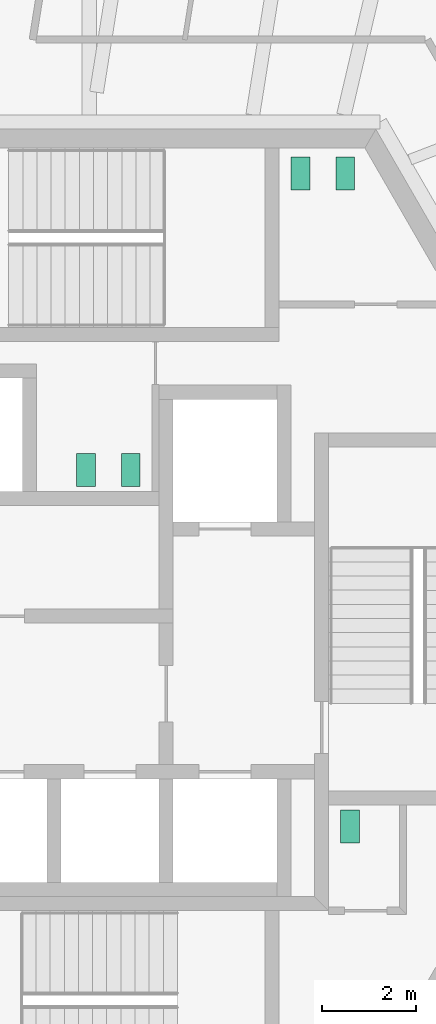
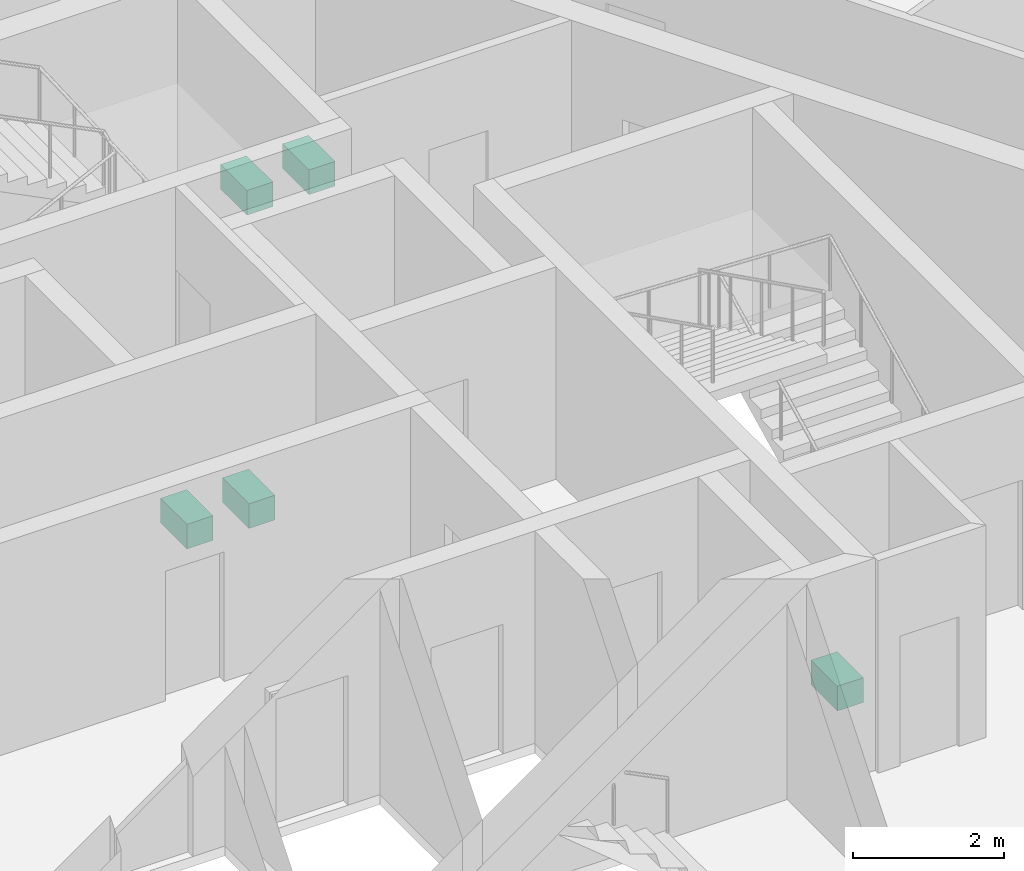
# One storey, part 19 of 21: 5 sanitary terminals.
"""IFC4 building model written with IfcOpenShell, lengths in metres."""

import ifcopenshell
import ifcopenshell.guid

model = None  # the IFC model being written
_history = None  # IfcOwnerHistory: only IFC2X3 demands one
_inside = {}  # id of a spatial element -> (the spatial element, [elements in it])
_under = {}  # id of a project, library or spatial element -> (it, [spatial elements below it])
_declared = {}  # id of a project -> (the project, [libraries it declares])
_typed = {}  # id of a type object -> (the type object, [elements of that type])
_made_of = {}  # id of a material, layer set ... -> (it, [elements and type objects made of it])


def new_model(schema):
    """Start an empty IFC model of exactly this schema.

    Asked for "IFC4X3", IfcOpenShell would pick the latest addendum, in which some entities
    have other attributes; the version numbers below select the first issue.
    IFC2X3 requires an IfcOwnerHistory on every rooted entity: one is made here for all.
    """
    global model, _history
    if schema == "IFC4X3":
        model = ifcopenshell.file(schema_version=(4, 3, 0, 0))
    else:
        model = ifcopenshell.file(schema=schema)
    _inside.clear()
    _under.clear()
    _declared.clear()
    _typed.clear()
    _made_of.clear()
    _history = None
    if model.schema == "IFC2X3":
        org = make("IfcOrganization", Name="unknown")
        user = make(
            "IfcPersonAndOrganization",
            ThePerson=make("IfcPerson", FamilyName="unknown"),
            TheOrganization=org,
        )
        app = make(
            "IfcApplication",
            ApplicationDeveloper=org,
            Version="unknown",
            ApplicationFullName="unknown",
            ApplicationIdentifier="unknown",
        )
        _history = make(
            "IfcOwnerHistory",
            OwningUser=user,
            OwningApplication=app,
            ChangeAction="ADDED",
            CreationDate=0,
        )
    return model


def make(cls, **values):
    """One entity of the class cls with the attributes given. An attribute that is None is left unset."""
    return model.create_entity(
        cls, **{name: value for name, value in values.items() if value is not None}
    )


def rooted(cls, **values):
    """An entity with a GlobalId (a new one), such as an element, a storey or a relation."""
    return make(cls, GlobalId=ifcopenshell.guid.new(), OwnerHistory=_history, **values)


def si_unit(unit_type, name, prefix=None):
    """IfcSIUnit, for example si_unit("LENGTHUNIT", "METRE", prefix="MILLI")."""
    return make("IfcSIUnit", UnitType=unit_type, Prefix=prefix, Name=name)


def assignment(units):
    """IfcUnitAssignment: the units of a project."""
    return None if units is None else make("IfcUnitAssignment", Units=units)


def point(xyz):
    """IfcCartesianPoint."""
    return None if xyz is None else make("IfcCartesianPoint", Coordinates=xyz)


def direction(xyz):
    """IfcDirection."""
    return None if xyz is None else make("IfcDirection", DirectionRatios=xyz)


def frame(location, z_axis=None, x_axis=None):
    """IfcAxis2Placement3D, a coordinate frame: its origin and axes. An axis left out is left unset."""
    return make(
        "IfcAxis2Placement3D",
        Location=point(location),
        Axis=direction(z_axis),
        RefDirection=direction(x_axis),
    )


def frame_2d(location, x_axis=None):
    """IfcAxis2Placement2D, a coordinate frame in the plane: its origin and x axis."""
    return make(
        "IfcAxis2Placement2D", Location=point(location), RefDirection=direction(x_axis)
    )


def origin():
    """The frame at (0, 0, 0) with its axes left unset."""
    return frame((0.0, 0.0, 0.0))


def origin_2d():
    """The frame at (0, 0) in the plane with its x axis left unset."""
    return frame_2d((0.0, 0.0))


def place(relative_to, where):
    """IfcLocalPlacement: puts the frame where relative to a parent placement (None: the world)."""
    return make(
        "IfcLocalPlacement", PlacementRelTo=relative_to, RelativePlacement=where
    )


def context(
    kind, dimensions, precision=None, world=None, true_north=None, identifier=None
):
    """IfcGeometricRepresentationContext, for example the 3D "Model" context."""
    return make(
        "IfcGeometricRepresentationContext",
        ContextIdentifier=identifier,
        ContextType=kind,
        CoordinateSpaceDimension=dimensions,
        Precision=precision,
        WorldCoordinateSystem=world,
        TrueNorth=true_north,
    )


def subcontext(parent, identifier, kind, view, scale=None):
    """IfcGeometricRepresentationSubContext, for example "Body" below "Model"."""
    return make(
        "IfcGeometricRepresentationSubContext",
        ContextIdentifier=identifier,
        ContextType=kind,
        ParentContext=parent,
        TargetScale=scale,
        TargetView=view,
    )


def project(units=None, contexts=None):
    """IfcProject with its units and contexts."""
    return rooted(
        "IfcProject",
        Name="project",
        RepresentationContexts=contexts,
        UnitsInContext=assignment(units),
    )


def spatial(cls, under=None, at=None, **own):
    """A site, building, storey or space (cls), placed at a placement, below another one or the project."""
    s = rooted(cls, ObjectPlacement=at, **own)
    if under is not None:
        _under.setdefault(under.id(), (under, []))[1].append(s)
    return s


def profile(cls, at=None, kind="AREA", **sizes):
    """A parametric profile (cls). Its sizes go by their IFC names, for example OverallWidth=200.0."""
    return make(cls, ProfileType=kind, Position=at, **sizes)


def rectangle(**sizes):
    """IfcRectangleProfileDef."""
    return profile("IfcRectangleProfileDef", **sizes)


def extrude(swept, where, along, depth):
    """IfcExtrudedAreaSolid: the profile swept, set in the frame where, extruded along a direction by depth."""
    return make(
        "IfcExtrudedAreaSolid",
        SweptArea=swept,
        Position=where,
        ExtrudedDirection=direction(along),
        Depth=depth,
    )


def shape(context_of_items, identifier, shape_type, items):
    """IfcShapeRepresentation: the items that make up one representation, for example the "Body"."""
    return make(
        "IfcShapeRepresentation",
        ContextOfItems=context_of_items,
        RepresentationIdentifier=identifier,
        RepresentationType=shape_type,
        Items=items,
    )


def source(mapping_origin, context_of_items, identifier, shape_type, items):
    """IfcRepresentationMap: a shape defined once, which mapped items show again and again."""
    return make(
        "IfcRepresentationMap",
        MappingOrigin=mapping_origin,
        MappedRepresentation=shape(context_of_items, identifier, shape_type, items),
    )


def transform(
    local_origin,
    x_axis=None,
    y_axis=None,
    z_axis=None,
    scale=None,
    scale2=None,
    scale3=None,
    uniform=True,
):
    """IfcCartesianTransformationOperator3D, or its non-uniform kind. x_axis, y_axis, z_axis: its Axis1, 2, 3."""
    if uniform:
        return make(
            "IfcCartesianTransformationOperator3D",
            Axis1=direction(x_axis),
            Axis2=direction(y_axis),
            LocalOrigin=point(local_origin),
            Scale=scale,
            Axis3=direction(z_axis),
        )
    return make(
        "IfcCartesianTransformationOperator3DnonUniform",
        Axis1=direction(x_axis),
        Axis2=direction(y_axis),
        LocalOrigin=point(local_origin),
        Scale=scale,
        Axis3=direction(z_axis),
        Scale2=scale2,
        Scale3=scale3,
    )


def mapped(mapping_source, mapping_target):
    """IfcMappedItem: shows the shape of a source again, moved by a transform."""
    return make(
        "IfcMappedItem", MappingSource=mapping_source, MappingTarget=mapping_target
    )


def material(Name=None, Category=None):
    """IfcMaterial."""
    return make("IfcMaterial", Name=Name, Category=Category)


def made_of(thing, what):
    """Note that an element or type object is made of a material, layer set ...; save() writes the relation."""
    if what is not None:
        _made_of.setdefault(what.id(), (what, []))[1].append(thing)
    return thing


def element(
    cls,
    number,
    at=None,
    inside=None,
    cuts=None,
    type_object=None,
    material=None,
    context=None,
    identifier="Body",
    shape_type=None,
    held_by="IfcProductDefinitionShape",
    body=None,
    shapes=None,
    **own,
):
    """One element of the class cls, such as IfcWall. Its Tag is "e" and its number.

    at: its placement. inside: the storey or other place that contains it. cuts: it is an
    opening in that element (IfcRelVoidsElement). A single representation is given by context,
    identifier, shape_type and body (its items); several are given by shapes. held_by: the class
    of the entity that holds the representations. save() writes the other relations.
    """
    e = rooted(cls, Tag="e%d" % number, ObjectPlacement=at, **own)
    if body is not None:
        shapes = [shape(context, identifier, shape_type, body)]
    if shapes is not None:
        e.Representation = make(held_by, Representations=shapes)
    if inside is not None:
        _inside.setdefault(inside.id(), (inside, []))[1].append(e)
    if cuts is not None:
        rooted(
            "IfcRelVoidsElement", RelatingBuildingElement=cuts, RelatedOpeningElement=e
        )
    if type_object is not None:
        _typed.setdefault(type_object.id(), (type_object, []))[1].append(e)
    return made_of(e, material)


def aggregate(whole, parts):
    """IfcRelAggregates: a whole, such as a stair, and the parts it consists of."""
    return rooted("IfcRelAggregates", RelatingObject=whole, RelatedObjects=parts)


def save(model, path):
    """Write the relations noted so far, then the file.

    IfcRelAggregates (storeys below a building ...), IfcRelContainedInSpatialStructure (elements
    in a storey), IfcRelDefinesByType, IfcRelAssociatesMaterial and IfcRelDeclares: one each for
    every whole, place, type object, material and project.
    """
    for whole, parts in _under.values():
        aggregate(whole, parts)
    for where, things in _inside.values():
        rooted(
            "IfcRelContainedInSpatialStructure",
            RelatedElements=things,
            RelatingStructure=where,
        )
    for kind, things in _typed.values():
        rooted("IfcRelDefinesByType", RelatedObjects=things, RelatingType=kind)
    for what, things in _made_of.values():
        rooted("IfcRelAssociatesMaterial", RelatedObjects=things, RelatingMaterial=what)
    for by, libraries in _declared.values():
        rooted("IfcRelDeclares", RelatingContext=by, RelatedDefinitions=libraries)
    model.write(path)


model = new_model("IFC4")

# Units and contexts
model_context = context("Model", 3, precision=1e-05, world=origin(), true_north=direction((0.0, 1.0)))
body_context = subcontext(model_context, "Body", "Model", "MODEL_VIEW")
ifc_project = project(units=[si_unit("LENGTHUNIT", "METRE"), si_unit("AREAUNIT", "SQUARE_METRE"), si_unit("VOLUMEUNIT", "CUBIC_METRE"), si_unit("PLANEANGLEUNIT", "RADIAN"), si_unit("MASSUNIT", "GRAM", prefix="KILO")], contexts=[model_context])

# Site, building, storey
site_placement = place(None, origin())
site = spatial("IfcSite", under=ifc_project, at=site_placement, CompositionType="ELEMENT")
building_placement = place(site_placement, origin())
building = spatial("IfcBuilding", under=site, at=building_placement, Name="Triune Harvest Tower", CompositionType="ELEMENT")
storey_placement = place(building_placement, frame((0.0, 0.0, 146.10009765625)))
storey = spatial("IfcBuildingStorey", under=building, at=storey_placement, Name="L37", CompositionType="ELEMENT", Elevation=146.10009765625)

# Sanitary terminals
ifc_material = material(Name="Vitreous china")
shared_shape = source(origin(), body_context, "Body", "SweptSolid", [
    extrude(rectangle(XDim=0.39990234375, YDim=0.699951171875, at=origin_2d()), origin(), (0.0, 0.0, 1.0), 0.39990234375),
])
for number, where, z_axis, x_axis, name in (
    (1, (4.39990234375, 9.449951171875, 0.0), (0.0, 0.0, 1.0), (1.0, 0.0, 0.0), "Toilet pan L37.c01"),
    (2, (5.35009765625, 9.449951171875, 0.0), (0.0, 0.0, 1.0), (1.0, 0.0, 0.0), "Toilet pan L37.c02"),
    (3, (0.800048828125, 3.159912109375, 0.0), (0.0, 0.0, 1.0), (-1.0, 0.0, 0.0), "Toilet pan L37.c03"),
    (4, (-0.14990234375, 3.159912109375, 0.0), (0.0, 0.0, 1.0), (-1.0, 0.0, 0.0), "Toilet pan L37.c04"),
    (5, (5.449951171875, -4.39990234375, 0.0), (0.0, 0.0, 1.0), (1.0, 0.0, 0.0), "Toilet pan L37.c05"),
):
    element("IfcSanitaryTerminal", number, at=place(storey_placement, frame(where, z_axis=z_axis, x_axis=x_axis)), inside=storey, material=ifc_material, Name=name, PredefinedType="TOILETPAN", context=body_context, shape_type="MappedRepresentation", body=[
        mapped(shared_shape, transform((0.0, 0.0, 0.0), scale=1.0)),
    ])

save(model, "model.ifc")
